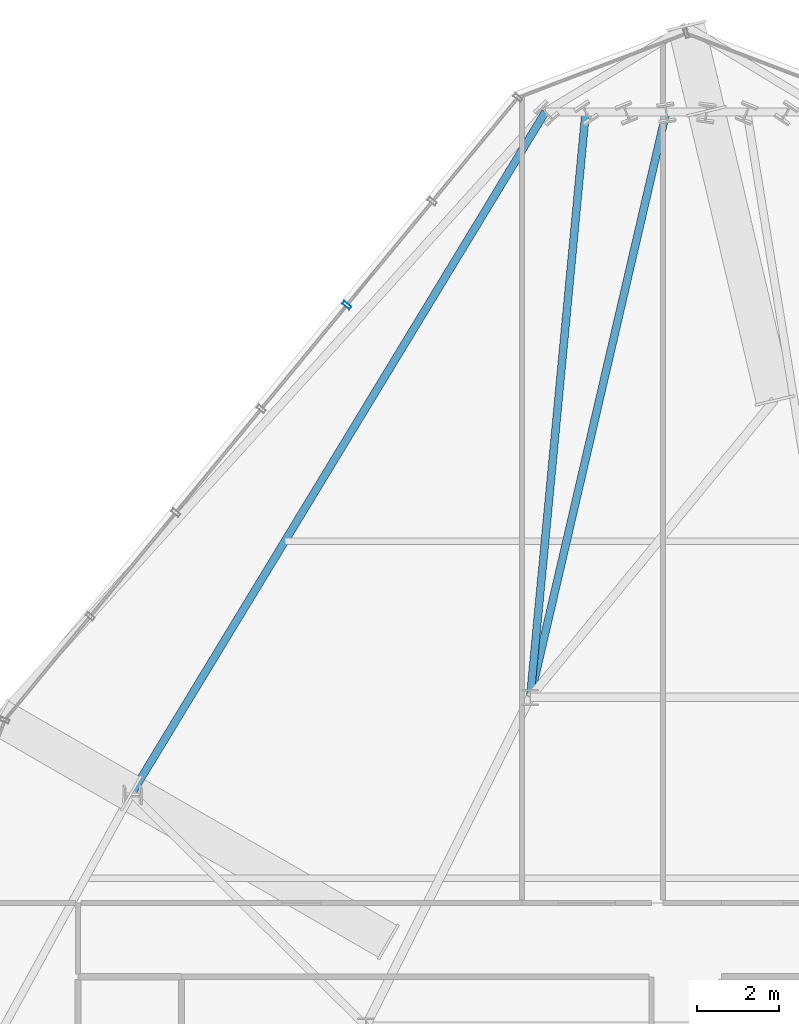
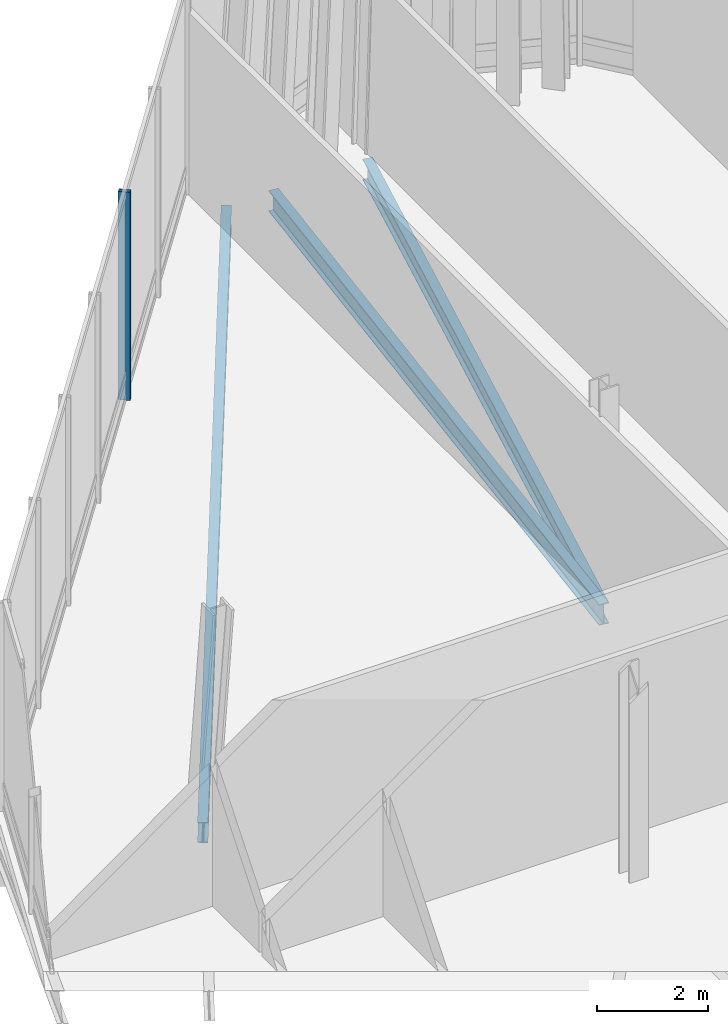
# One storey, part 16 of 28: 3 beams, 1 member, 1 element without a shape of its own.
"""IFC4 building model written with IfcOpenShell, lengths in metres."""

import ifcopenshell
import ifcopenshell.guid

model = None  # the IFC model being written
_history = None  # IfcOwnerHistory: only IFC2X3 demands one
_inside = {}  # id of a spatial element -> (the spatial element, [elements in it])
_under = {}  # id of a project, library or spatial element -> (it, [spatial elements below it])
_declared = {}  # id of a project -> (the project, [libraries it declares])
_typed = {}  # id of a type object -> (the type object, [elements of that type])
_made_of = {}  # id of a material, layer set ... -> (it, [elements and type objects made of it])


def new_model(schema):
    """Start an empty IFC model of exactly this schema.

    Asked for "IFC4X3", IfcOpenShell would pick the latest addendum, in which some entities
    have other attributes; the version numbers below select the first issue.
    IFC2X3 requires an IfcOwnerHistory on every rooted entity: one is made here for all.
    """
    global model, _history
    if schema == "IFC4X3":
        model = ifcopenshell.file(schema_version=(4, 3, 0, 0))
    else:
        model = ifcopenshell.file(schema=schema)
    _inside.clear()
    _under.clear()
    _declared.clear()
    _typed.clear()
    _made_of.clear()
    _history = None
    if model.schema == "IFC2X3":
        org = make("IfcOrganization", Name="unknown")
        user = make(
            "IfcPersonAndOrganization",
            ThePerson=make("IfcPerson", FamilyName="unknown"),
            TheOrganization=org,
        )
        app = make(
            "IfcApplication",
            ApplicationDeveloper=org,
            Version="unknown",
            ApplicationFullName="unknown",
            ApplicationIdentifier="unknown",
        )
        _history = make(
            "IfcOwnerHistory",
            OwningUser=user,
            OwningApplication=app,
            ChangeAction="ADDED",
            CreationDate=0,
        )
    return model


def make(cls, **values):
    """One entity of the class cls with the attributes given. An attribute that is None is left unset."""
    return model.create_entity(
        cls, **{name: value for name, value in values.items() if value is not None}
    )


def rooted(cls, **values):
    """An entity with a GlobalId (a new one), such as an element, a storey or a relation."""
    return make(cls, GlobalId=ifcopenshell.guid.new(), OwnerHistory=_history, **values)


def si_unit(unit_type, name, prefix=None):
    """IfcSIUnit, for example si_unit("LENGTHUNIT", "METRE", prefix="MILLI")."""
    return make("IfcSIUnit", UnitType=unit_type, Prefix=prefix, Name=name)


def assignment(units):
    """IfcUnitAssignment: the units of a project."""
    return None if units is None else make("IfcUnitAssignment", Units=units)


def point(xyz):
    """IfcCartesianPoint."""
    return None if xyz is None else make("IfcCartesianPoint", Coordinates=xyz)


def direction(xyz):
    """IfcDirection."""
    return None if xyz is None else make("IfcDirection", DirectionRatios=xyz)


def frame(location, z_axis=None, x_axis=None):
    """IfcAxis2Placement3D, a coordinate frame: its origin and axes. An axis left out is left unset."""
    return make(
        "IfcAxis2Placement3D",
        Location=point(location),
        Axis=direction(z_axis),
        RefDirection=direction(x_axis),
    )


def frame_2d(location, x_axis=None):
    """IfcAxis2Placement2D, a coordinate frame in the plane: its origin and x axis."""
    return make(
        "IfcAxis2Placement2D", Location=point(location), RefDirection=direction(x_axis)
    )


def origin():
    """The frame at (0, 0, 0) with its axes left unset."""
    return frame((0.0, 0.0, 0.0))


def origin_2d():
    """The frame at (0, 0) in the plane with its x axis left unset."""
    return frame_2d((0.0, 0.0))


def place(relative_to, where):
    """IfcLocalPlacement: puts the frame where relative to a parent placement (None: the world)."""
    return make(
        "IfcLocalPlacement", PlacementRelTo=relative_to, RelativePlacement=where
    )


def context(
    kind, dimensions, precision=None, world=None, true_north=None, identifier=None
):
    """IfcGeometricRepresentationContext, for example the 3D "Model" context."""
    return make(
        "IfcGeometricRepresentationContext",
        ContextIdentifier=identifier,
        ContextType=kind,
        CoordinateSpaceDimension=dimensions,
        Precision=precision,
        WorldCoordinateSystem=world,
        TrueNorth=true_north,
    )


def subcontext(parent, identifier, kind, view, scale=None):
    """IfcGeometricRepresentationSubContext, for example "Body" below "Model"."""
    return make(
        "IfcGeometricRepresentationSubContext",
        ContextIdentifier=identifier,
        ContextType=kind,
        ParentContext=parent,
        TargetScale=scale,
        TargetView=view,
    )


def project(units=None, contexts=None):
    """IfcProject with its units and contexts."""
    return rooted(
        "IfcProject",
        Name="project",
        RepresentationContexts=contexts,
        UnitsInContext=assignment(units),
    )


def spatial(cls, under=None, at=None, **own):
    """A site, building, storey or space (cls), placed at a placement, below another one or the project."""
    s = rooted(cls, ObjectPlacement=at, **own)
    if under is not None:
        _under.setdefault(under.id(), (under, []))[1].append(s)
    return s


def profile(cls, at=None, kind="AREA", **sizes):
    """A parametric profile (cls). Its sizes go by their IFC names, for example OverallWidth=200.0."""
    return make(cls, ProfileType=kind, Position=at, **sizes)


def hollow_rectangle(**sizes):
    """IfcRectangleHollowProfileDef."""
    return profile("IfcRectangleHollowProfileDef", **sizes)


def i_section(**sizes):
    """IfcIShapeProfileDef."""
    return profile("IfcIShapeProfileDef", **sizes)


def extrude(swept, where, along, depth):
    """IfcExtrudedAreaSolid: the profile swept, set in the frame where, extruded along a direction by depth."""
    return make(
        "IfcExtrudedAreaSolid",
        SweptArea=swept,
        Position=where,
        ExtrudedDirection=direction(along),
        Depth=depth,
    )


def shape(context_of_items, identifier, shape_type, items):
    """IfcShapeRepresentation: the items that make up one representation, for example the "Body"."""
    return make(
        "IfcShapeRepresentation",
        ContextOfItems=context_of_items,
        RepresentationIdentifier=identifier,
        RepresentationType=shape_type,
        Items=items,
    )


def material(Name=None, Category=None):
    """IfcMaterial."""
    return make("IfcMaterial", Name=Name, Category=Category)


def layer(
    of_material, thickness, ventilated=None, Name=None, Category=None, Priority=None
):
    """IfcMaterialLayer: one layer of a wall or slab, of a material (None: an air gap)."""
    return make(
        "IfcMaterialLayer",
        Material=of_material,
        LayerThickness=thickness,
        IsVentilated=ventilated,
        Name=Name,
        Category=Category,
        Priority=Priority,
    )


def layer_set(layers, Name=None):
    """IfcMaterialLayerSet."""
    return make("IfcMaterialLayerSet", MaterialLayers=layers, LayerSetName=Name)


def material_profile(
    of_material, cross_section, Name=None, Category=None, Priority=None
):
    """IfcMaterialProfile: a cross section and its material."""
    return make(
        "IfcMaterialProfile",
        Name=Name,
        Material=of_material,
        Profile=cross_section,
        Priority=Priority,
        Category=Category,
    )


def profile_set(profiles, Name=None, composite=None):
    """IfcMaterialProfileSet."""
    return make(
        "IfcMaterialProfileSet",
        Name=Name,
        MaterialProfiles=profiles,
        CompositeProfile=composite,
    )


def made_of(thing, what):
    """Note that an element or type object is made of a material, layer set ...; save() writes the relation."""
    if what is not None:
        _made_of.setdefault(what.id(), (what, []))[1].append(thing)
    return thing


def type_object(cls, material=None, **own):
    """A type object (cls), such as IfcWallType, which elements share."""
    return made_of(rooted(cls, **own), material)


def element(
    cls,
    number,
    at=None,
    inside=None,
    cuts=None,
    type_object=None,
    material=None,
    context=None,
    identifier="Body",
    shape_type=None,
    held_by="IfcProductDefinitionShape",
    body=None,
    shapes=None,
    **own,
):
    """One element of the class cls, such as IfcWall. Its Tag is "e" and its number.

    at: its placement. inside: the storey or other place that contains it. cuts: it is an
    opening in that element (IfcRelVoidsElement). A single representation is given by context,
    identifier, shape_type and body (its items); several are given by shapes. held_by: the class
    of the entity that holds the representations. save() writes the other relations.
    """
    e = rooted(cls, Tag="e%d" % number, ObjectPlacement=at, **own)
    if body is not None:
        shapes = [shape(context, identifier, shape_type, body)]
    if shapes is not None:
        e.Representation = make(held_by, Representations=shapes)
    if inside is not None:
        _inside.setdefault(inside.id(), (inside, []))[1].append(e)
    if cuts is not None:
        rooted(
            "IfcRelVoidsElement", RelatingBuildingElement=cuts, RelatedOpeningElement=e
        )
    if type_object is not None:
        _typed.setdefault(type_object.id(), (type_object, []))[1].append(e)
    return made_of(e, material)


def aggregate(whole, parts):
    """IfcRelAggregates: a whole, such as a stair, and the parts it consists of."""
    return rooted("IfcRelAggregates", RelatingObject=whole, RelatedObjects=parts)


def save(model, path):
    """Write the relations noted so far, then the file.

    IfcRelAggregates (storeys below a building ...), IfcRelContainedInSpatialStructure (elements
    in a storey), IfcRelDefinesByType, IfcRelAssociatesMaterial and IfcRelDeclares: one each for
    every whole, place, type object, material and project.
    """
    for whole, parts in _under.values():
        aggregate(whole, parts)
    for where, things in _inside.values():
        rooted(
            "IfcRelContainedInSpatialStructure",
            RelatedElements=things,
            RelatingStructure=where,
        )
    for kind, things in _typed.values():
        rooted("IfcRelDefinesByType", RelatedObjects=things, RelatingType=kind)
    for what, things in _made_of.values():
        rooted("IfcRelAssociatesMaterial", RelatedObjects=things, RelatingMaterial=what)
    for by, libraries in _declared.values():
        rooted("IfcRelDeclares", RelatingContext=by, RelatedDefinitions=libraries)
    model.write(path)


model = new_model("IFC4")

# Units and contexts
model_context = context("Model", 3, precision=1e-05, world=origin(), true_north=direction((0.0, 1.0)))
body_context = subcontext(model_context, "Body", "Model", "MODEL_VIEW")
ifc_project = project(units=[si_unit("LENGTHUNIT", "METRE"), si_unit("AREAUNIT", "SQUARE_METRE"), si_unit("VOLUMEUNIT", "CUBIC_METRE"), si_unit("PLANEANGLEUNIT", "RADIAN"), si_unit("MASSUNIT", "GRAM", prefix="KILO")], contexts=[model_context])

# Site, building, storey
site_placement = place(None, origin())
site = spatial("IfcSite", under=ifc_project, at=site_placement, CompositionType="ELEMENT")
building_placement = place(site_placement, origin())
building = spatial("IfcBuilding", under=site, at=building_placement, Name="Ndaravel Arena Tower", CompositionType="ELEMENT")
storey_placement = place(building_placement, frame((0.0, 0.0, 213.199951171875)))
storey = spatial("IfcBuildingStorey", under=building, at=storey_placement, Name="L51", CompositionType="ELEMENT", Elevation=213.199951171875)

# Beams
ifc_material_1 = material(Name="Steel S355", Category="steel")
ifc_material_profile_1 = material_profile(ifc_material_1, i_section(OverallWidth=0.19140625, OverallDepth=0.4599609375, WebThickness=0.010009765625, FlangeThickness=0.01611328125, FilletRadius=0.01025390625, at=origin_2d()), Name="UB 457x191x82")
ifc_profile_set_1 = profile_set([ifc_material_profile_1], Name="Steel S355")
beam_type_1 = type_object("IfcBeamType", Name="BM-GIRD-UB457", PredefinedType="BEAM", material=ifc_profile_set_1)
beam_1_placement = place(storey_placement, frame((41.509765625, 45.44482421875, -0.510009765625), z_axis=(-0.22632233436, -0.974052463151, 0.0), x_axis=(0.974052463151, -0.22632233436, 0.0)))
element("IfcBeam", 1, at=beam_1_placement, inside=storey, type_object=beam_type_1, Name="L51 Radial Floor Girder FG-15", PredefinedType="BEAM", context=body_context, shape_type="SweptSolid", body=[
    extrude(i_section(OverallWidth=0.19140625, OverallDepth=0.4599609375, WebThickness=0.010009765625, FlangeThickness=0.01611328125, FilletRadius=0.01025390625, at=origin_2d()), origin(), (0.0, 0.0, 1.0), 14.624267578125),
])
beam_2_placement = place(storey_placement, frame((39.548828125, 45.44482421875, -0.510009765625), z_axis=(-0.094270401693, -0.995546629428, 0.0), x_axis=(0.995546629428, -0.094270401693, 0.0)))
element("IfcBeam", 2, at=beam_2_placement, inside=storey, type_object=beam_type_1, Name="L51 Radial Floor Girder FG-17", PredefinedType="BEAM", context=body_context, shape_type="SweptSolid", body=[
    extrude(i_section(OverallWidth=0.19140625, OverallDepth=0.4599609375, WebThickness=0.010009765625, FlangeThickness=0.01611328125, FilletRadius=0.01025390625, at=origin_2d()), origin(), (0.0, 0.0, 1.0), 14.30859375),
])
ifc_material_2 = material(Name="Steel S355", Category="steel")
ifc_material_profile_2 = material_profile(ifc_material_2, i_section(OverallWidth=0.18994140625, OverallDepth=0.449951171875, WebThickness=0.009521484375, FlangeThickness=0.0146484375, FilletRadius=0.02099609375, at=origin_2d()), Name="IPE 450")
ifc_profile_set_2 = profile_set([ifc_material_profile_2], Name="Steel S355")
beam_type_2 = type_object("IfcBeamType", Name="BM-SPAN-IPE450", PredefinedType="SPANDREL", material=ifc_profile_set_2)
beam_3_placement = place(storey_placement, frame((38.568603515625, 45.44482421875, -0.5048828125), z_axis=(-0.518835945965, -0.854873827635, 0.0), x_axis=(0.854873827635, -0.518835945965, 0.0)))
element("IfcBeam", 3, at=beam_3_placement, inside=storey, type_object=beam_type_2, Name="L51 Perimeter Spandrel Beam SP-18", PredefinedType="SPANDREL", context=body_context, shape_type="SweptSolid", body=[
    extrude(i_section(OverallWidth=0.18994140625, OverallDepth=0.449951171875, WebThickness=0.009521484375, FlangeThickness=0.0146484375, FilletRadius=0.02099609375, at=origin_2d()), origin(), (0.0, 0.0, 1.0), 19.40185546875),
])

# Curtain wall, member
ifc_material_3 = material(Name="Aluminium", Category="aluminium")
ifc_layer = layer(ifc_material_3, 0.179931640625)
ifc_layer_set = layer_set([ifc_layer], Name="Aluminium")
curtain_wall_type = type_object("IfcCurtainWallType", Name="CW-SYS-04", PredefinedType="NOTDEFINED", material=ifc_layer_set)
curtain_wall_placement = place(storey_placement, origin())
curtain_wall = element("IfcCurtainWall", 4, at=curtain_wall_placement, inside=storey, type_object=curtain_wall_type, Name="L51 Faceted Crystal Curtain Wall CW-L51-E10", PredefinedType="NOTDEFINED")
ifc_material_4 = material(Name="Aluminium", Category="aluminium")
ifc_material_profile_3 = material_profile(ifc_material_4, hollow_rectangle(XDim=0.090087890625, YDim=0.219970703125, WallThickness=0.0048828125, at=origin_2d()), Name="CW MULLION 90x220x5")
ifc_profile_set_3 = profile_set([ifc_material_profile_3], Name="Aluminium")
member_type = type_object("IfcMemberType", Name="MEM-CW-MUL220", PredefinedType="MULLION", material=ifc_profile_set_3)
member_placement = place(storey_placement, frame((33.736083984375, 40.7412109375, 0.0), z_axis=(0.0, 0.0, 1.0), x_axis=(-0.636024349169, -0.771668988144, 0.0)))
member = element("IfcMember", 5, at=member_placement, type_object=member_type, Name="CW-L51-E10 Mullion 02", PredefinedType="MULLION", context=body_context, shape_type="SweptSolid", body=[
    extrude(hollow_rectangle(XDim=0.090087890625, YDim=0.219970703125, WallThickness=0.0048828125, at=origin_2d()), origin(), (0.0, 0.0, 1.0), 4.580078125),
])
aggregate(curtain_wall, [member])

save(model, "model.ifc")
